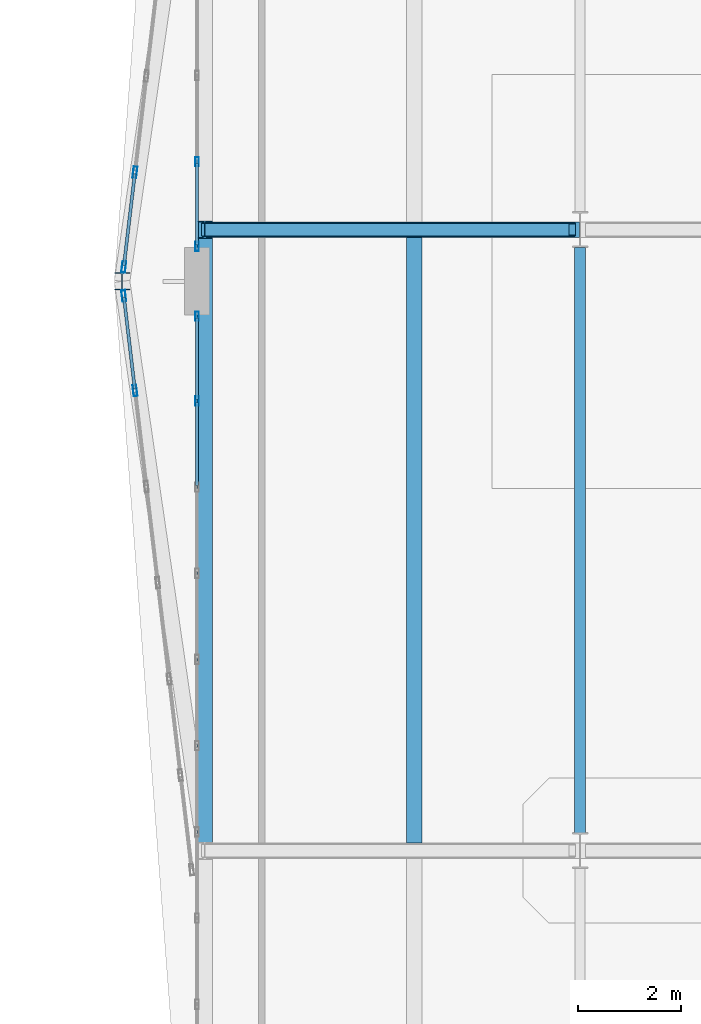
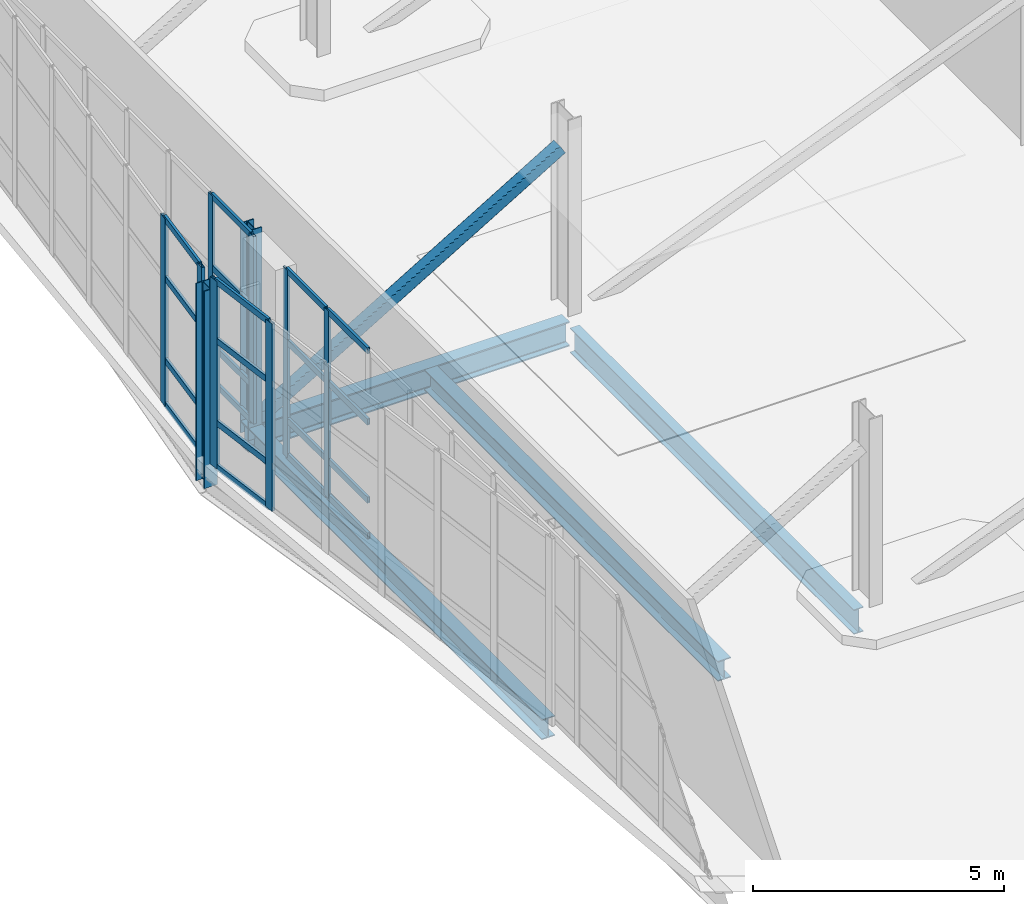
# One storey, part 19 of 100: 31 members, 4 beams, 4 elements without a shape of their own.
"""IFC4 building model written with IfcOpenShell, lengths in metres."""

from ifc_helpers import new_model, si_unit, direction, frame, origin, origin_2d, place, context, subcontext, project, spatial, hollow_rectangle, i_section, extrude, material, layer, layer_set, material_profile, profile_set, type_object, element, aggregate, save


model = new_model("IFC4")

# Units and contexts
model_context = context("Model", 3, precision=1e-05, world=origin(), true_north=direction((0.0, 1.0)))
body_context = subcontext(model_context, "Body", "Model", "MODEL_VIEW")
ifc_project = project(units=[si_unit("LENGTHUNIT", "METRE"), si_unit("AREAUNIT", "SQUARE_METRE"), si_unit("VOLUMEUNIT", "CUBIC_METRE"), si_unit("PLANEANGLEUNIT", "RADIAN"), si_unit("MASSUNIT", "GRAM", prefix="KILO")], contexts=[model_context])

# Site, building, storey
site_placement = place(None, origin())
site = spatial("IfcSite", under=ifc_project, at=site_placement, CompositionType="ELEMENT")
building_placement = place(site_placement, origin())
building = spatial("IfcBuilding", under=site, at=building_placement, Name="Tasgan Crest Museum", CompositionType="ELEMENT")
storey_placement = place(building_placement, frame((0.0, 0.0, 9.60009765625)))
storey = spatial("IfcBuildingStorey", under=building, at=storey_placement, Name="L02", CompositionType="ELEMENT", Elevation=9.60009765625)

# Beams
ifc_material_1 = material(Name="Steel S355K2", Category="steel")
ifc_material_profile_1 = material_profile(ifc_material_1, i_section(OverallWidth=0.300048828125, OverallDepth=0.60009765625, WebThickness=0.015380859375, FlangeThickness=0.030029296875, FilletRadius=0.027099609375, at=origin_2d()), Name="HEB 600")
ifc_profile_set_1 = profile_set([ifc_material_profile_1], Name="Steel S355K2")
beam_type_1 = type_object("IfcBeamType", Name="BM-CANT-G1", PredefinedType="BEAM", material=ifc_profile_set_1)
beam_1_placement = place(storey_placement, frame((3.39990234375, 62.0, -0.56005859375), z_axis=(1.0, 0.0, 0.0), x_axis=(0.0, 1.0, 0.0)))
element("IfcBeam", 1, at=beam_1_placement, inside=storey, type_object=beam_type_1, Name="Cantilever transfer girder BOT G", PredefinedType="BEAM", context=body_context, shape_type="SweptSolid", body=[
    extrude(i_section(OverallWidth=0.300048828125, OverallDepth=0.60009765625, WebThickness=0.015380859375, FlangeThickness=0.030029296875, FilletRadius=0.027099609375, at=origin_2d()), origin(), (0.0, 0.0, 1.0), 7.3935546875),
])
ifc_material_2 = material(Name="Steel S355J2", Category="steel")
ifc_material_profile_2 = material_profile(ifc_material_2, i_section(OverallWidth=0.300048828125, OverallDepth=0.489990234375, WebThickness=0.011962890625, FlangeThickness=0.02294921875, FilletRadius=0.027099609375, at=origin_2d()), Name="HEA 500")
ifc_profile_set_2 = profile_set([ifc_material_profile_2], Name="Steel S355J2")
beam_type_2 = type_object("IfcBeamType", Name="BM-G-HEA500", PredefinedType="BEAM", material=ifc_profile_set_2)
for number, where, z_axis, x_axis, name in (
    (2, (3.550048828125, 50.14990234375, -0.505126953125), (0.0, 1.0, 0.0), (-1.0, 0.0, 0.0), "Cantilever edge beam L02 TIP 50-62"),
    (3, (7.60009765625, 50.14990234375, -0.505126953125), (0.0, 1.0, 0.0), (-1.0, 0.0, 0.0), "Cantilever edge beam L02 MID 50-62"),
):
    element("IfcBeam", number, at=place(storey_placement, frame(where, z_axis=z_axis, x_axis=x_axis)), inside=storey, type_object=beam_type_2, Name=name, PredefinedType="BEAM", context=body_context, shape_type="SweptSolid", body=[
        extrude(i_section(OverallWidth=0.300048828125, OverallDepth=0.489990234375, WebThickness=0.011962890625, FlangeThickness=0.02294921875, FilletRadius=0.027099609375, at=origin_2d()), origin(), (0.0, 0.0, 1.0), 11.7001953125),
    ])
ifc_material_3 = material(Name="Steel S355J2", Category="steel")
ifc_material_profile_3 = material_profile(ifc_material_3, i_section(OverallWidth=0.219970703125, OverallDepth=0.60009765625, WebThickness=0.011962890625, FlangeThickness=0.01904296875, FilletRadius=0.02392578125, at=origin_2d()), Name="IPE 600")
ifc_profile_set_3 = profile_set([ifc_material_profile_3], Name="Steel S355J2")
beam_type_3 = type_object("IfcBeamType", Name="BM-G-IPE600", PredefinedType="BEAM", material=ifc_profile_set_3)
beam_2_placement = place(storey_placement, frame((10.800048828125, 50.344970703125, -0.56005859375), z_axis=(0.0, 1.0, 0.0), x_axis=(-1.0, 0.0, 0.0)))
element("IfcBeam", 4, at=beam_2_placement, inside=storey, type_object=beam_type_3, Name="Beam L02 2 50.0-62.0", PredefinedType="BEAM", context=body_context, shape_type="SweptSolid", body=[
    extrude(i_section(OverallWidth=0.219970703125, OverallDepth=0.60009765625, WebThickness=0.011962890625, FlangeThickness=0.01904296875, FilletRadius=0.02392578125, at=origin_2d()), origin(), (0.0, 0.0, 1.0), 11.31005859375),
])

# Curtain wall, members
ifc_material_4 = material(Name="Triple-Glazed Aluminium Curtain Wall", Category="aluminium")
ifc_layer = layer(ifc_material_4, 0.179931640625, Name="CW-CANT-TIP-48")
ifc_layer_set = layer_set([ifc_layer], Name="Triple-Glazed Aluminium Curtain Wall")
curtain_wall_type = type_object("IfcCurtainWallType", Name="CW-CANT-TIP-48", PredefinedType="NOTDEFINED", material=ifc_layer_set)
curtain_wall_1_placement = place(storey_placement, origin())
curtain_wall_1 = element("IfcCurtainWall", 5, at=curtain_wall_1_placement, inside=storey, type_object=curtain_wall_type, Name="Curtain wall L02 094", PredefinedType="NOTDEFINED")
ifc_material_5 = material(Name="Anodised Aluminium", Category="aluminium")
ifc_material_profile_4 = material_profile(ifc_material_5, hollow_rectangle(XDim=0.06494140625, YDim=0.179931640625, WallThickness=0.0048828125, at=origin_2d()), Name="ALU MULLION 180x65x5")
ifc_profile_set_4 = profile_set([ifc_material_profile_4], Name="Anodised Aluminium")
member_type_1 = type_object("IfcMemberType", Name="CW-MULLION-180", PredefinedType="MULLION", material=ifc_profile_set_4)
member_1_placement = place(storey_placement, frame((3.39990234375, 63.310791015625, 0.0), z_axis=(0.0, 0.0, 1.0), x_axis=(1.0, 0.0, 0.0)))
member_1 = element("IfcMember", 6, at=member_1_placement, type_object=member_type_1, Name="CW09 mullion 12", PredefinedType="MULLION", context=body_context, shape_type="SweptSolid", body=[
    extrude(hollow_rectangle(XDim=0.06494140625, YDim=0.179931640625, WallThickness=0.0048828125, at=origin_2d()), origin(), (0.0, 0.0, 1.0), 4.559814453125),
])
member_2_placement = place(storey_placement, frame((3.39990234375, 61.675048828125, 0.0), z_axis=(0.0, 0.0, 1.0), x_axis=(1.0, 0.0, 0.0)))
member_2 = element("IfcMember", 7, at=member_2_placement, type_object=member_type_1, Name="CW09 mullion 13", PredefinedType="MULLION", context=body_context, shape_type="SweptSolid", body=[
    extrude(hollow_rectangle(XDim=0.06494140625, YDim=0.179931640625, WallThickness=0.0048828125, at=origin_2d()), origin(), (0.0, 0.0, 1.0), 4.559814453125),
])

curtain_wall_2_placement = place(storey_placement, origin())
curtain_wall_2 = element("IfcCurtainWall", 8, at=curtain_wall_2_placement, inside=storey, type_object=curtain_wall_type, Name="Curtain wall L02 095", PredefinedType="NOTDEFINED")
member_3_placement = place(storey_placement, frame((3.39990234375, 60.324951171875, 0.0), z_axis=(0.0, 0.0, 1.0), x_axis=(1.0, 0.0, 0.0)))
member_3 = element("IfcMember", 9, at=member_3_placement, type_object=member_type_1, Name="CW09 mullion 1", PredefinedType="MULLION", context=body_context, shape_type="SweptSolid", body=[
    extrude(hollow_rectangle(XDim=0.06494140625, YDim=0.179931640625, WallThickness=0.0048828125, at=origin_2d()), origin(), (0.0, 0.0, 1.0), 4.559814453125),
])
member_4_placement = place(storey_placement, frame((3.39990234375, 58.689208984375, 0.0), z_axis=(0.0, 0.0, 1.0), x_axis=(1.0, 0.0, 0.0)))
member_4 = element("IfcMember", 10, at=member_4_placement, type_object=member_type_1, Name="CW09 mullion 2", PredefinedType="MULLION", context=body_context, shape_type="SweptSolid", body=[
    extrude(hollow_rectangle(XDim=0.06494140625, YDim=0.179931640625, WallThickness=0.0048828125, at=origin_2d()), origin(), (0.0, 0.0, 1.0), 4.559814453125),
])

curtain_wall_3_placement = place(storey_placement, origin())
curtain_wall_3 = element("IfcCurtainWall", 11, at=curtain_wall_3_placement, inside=storey, type_object=curtain_wall_type, Name="Cantilevered prow curtain wall L02 PROW-S", PredefinedType="NOTDEFINED")
ifc_material_6 = material(Name="Anodised Aluminium", Category="aluminium")
ifc_material_profile_5 = material_profile(ifc_material_6, hollow_rectangle(XDim=0.074951171875, YDim=0.219970703125, WallThickness=0.006103515625, at=origin_2d()), Name="ALU MULLION 220x75x6")
ifc_profile_set_5 = profile_set([ifc_material_profile_5], Name="Anodised Aluminium")
member_type_2 = type_object("IfcMemberType", Name="CW-MULLION-220", PredefinedType="MULLION", material=ifc_profile_set_5)
member_5_placement = place(storey_placement, frame((2.199951171875, 58.8916015625, 0.0), z_axis=(0.0, 0.0, 1.0), x_axis=(-0.993065228329, -0.117564672774, 0.0)))
member_5 = element("IfcMember", 12, at=member_5_placement, type_object=member_type_2, Name="CW09 mullion 6", PredefinedType="MULLION", context=body_context, shape_type="SweptSolid", body=[
    extrude(hollow_rectangle(XDim=0.074951171875, YDim=0.219970703125, WallThickness=0.006103515625, at=origin_2d()), origin(), (0.0, 0.0, 1.0), 4.559814453125),
])
member_6_placement = place(storey_placement, frame((1.983642578125, 60.72021484375, 0.0), z_axis=(0.0, 0.0, 1.0), x_axis=(-0.993065228329, -0.117564672774, 0.0)))
member_6 = element("IfcMember", 13, at=member_6_placement, type_object=member_type_2, Name="CW09 mullion 7", PredefinedType="MULLION", context=body_context, shape_type="SweptSolid", body=[
    extrude(hollow_rectangle(XDim=0.074951171875, YDim=0.219970703125, WallThickness=0.006103515625, at=origin_2d()), origin(), (0.0, 0.0, 1.0), 4.559814453125),
])

curtain_wall_4_placement = place(storey_placement, origin())
curtain_wall_4 = element("IfcCurtainWall", 14, at=curtain_wall_4_placement, inside=storey, type_object=curtain_wall_type, Name="Cantilevered prow curtain wall L02 PROW-N", PredefinedType="NOTDEFINED")
member_7_placement = place(storey_placement, frame((1.983642578125, 61.27978515625, 0.0), z_axis=(0.0, 0.0, 1.0), x_axis=(-0.993065228329, 0.117564672774, 0.0)))
member_7 = element("IfcMember", 15, at=member_7_placement, type_object=member_type_2, Name="CW09 mullion 1", PredefinedType="MULLION", context=body_context, shape_type="SweptSolid", body=[
    extrude(hollow_rectangle(XDim=0.074951171875, YDim=0.219970703125, WallThickness=0.006103515625, at=origin_2d()), origin(), (0.0, 0.0, 1.0), 4.559814453125),
])
member_8_placement = place(storey_placement, frame((2.199951171875, 63.1083984375, 0.0), z_axis=(0.0, 0.0, 1.0), x_axis=(-0.993065228329, 0.117564672774, 0.0)))
member_8 = element("IfcMember", 16, at=member_8_placement, type_object=member_type_2, Name="CW09 mullion 2", PredefinedType="MULLION", context=body_context, shape_type="SweptSolid", body=[
    extrude(hollow_rectangle(XDim=0.074951171875, YDim=0.219970703125, WallThickness=0.006103515625, at=origin_2d()), origin(), (0.0, 0.0, 1.0), 4.559814453125),
])

# Member
ifc_material_7 = material(Name="Anodised Aluminium", Category="aluminium")
ifc_material_profile_6 = material_profile(ifc_material_7, hollow_rectangle(XDim=0.06005859375, YDim=0.14990234375, WallThickness=0.0048828125, at=origin_2d()), Name="ALU TRANSOM 150x60x5")
ifc_profile_set_6 = profile_set([ifc_material_profile_6], Name="Anodised Aluminium")
member_type_3 = type_object("IfcMemberType", Name="CW-TRANSOM-150", PredefinedType="USERDEFINED", material=ifc_profile_set_6)
member_9_placement = place(storey_placement, frame((3.39990234375, 63.28076171875, 0.02978515625), z_axis=(0.0, -1.0, 0.0), x_axis=(1.0, 0.0, 0.0)))
member_9 = element("IfcMember", 17, at=member_9_placement, type_object=member_type_3, Name="CW09 transom 12.1", ObjectType="TRANSOM", PredefinedType="USERDEFINED", context=body_context, shape_type="SweptSolid", body=[
    extrude(hollow_rectangle(XDim=0.06005859375, YDim=0.14990234375, WallThickness=0.0048828125, at=origin_2d()), origin(), (0.0, 0.0, 1.0), 1.57568359375),
])

member_10_placement = place(storey_placement, frame((3.39990234375, 63.28076171875, 0.89990234375), z_axis=(0.0, -1.0, 0.0), x_axis=(1.0, 0.0, 0.0)))
member_10 = element("IfcMember", 18, at=member_10_placement, type_object=member_type_3, Name="CW09 transom 12.2", ObjectType="TRANSOM", PredefinedType="USERDEFINED", context=body_context, shape_type="SweptSolid", body=[
    extrude(hollow_rectangle(XDim=0.06005859375, YDim=0.14990234375, WallThickness=0.0048828125, at=origin_2d()), origin(), (0.0, 0.0, 1.0), 1.57568359375),
])

member_11_placement = place(storey_placement, frame((3.39990234375, 63.28076171875, 2.7998046875), z_axis=(0.0, -1.0, 0.0), x_axis=(1.0, 0.0, 0.0)))
member_11 = element("IfcMember", 19, at=member_11_placement, type_object=member_type_3, Name="CW09 transom 12.3", ObjectType="TRANSOM", PredefinedType="USERDEFINED", context=body_context, shape_type="SweptSolid", body=[
    extrude(hollow_rectangle(XDim=0.06005859375, YDim=0.14990234375, WallThickness=0.0048828125, at=origin_2d()), origin(), (0.0, 0.0, 1.0), 1.57568359375),
])

member_12_placement = place(storey_placement, frame((3.39990234375, 63.28076171875, 4.52978515625), z_axis=(0.0, -1.0, 0.0), x_axis=(1.0, 0.0, 0.0)))
member_12 = element("IfcMember", 20, at=member_12_placement, type_object=member_type_3, Name="CW09 transom 12.4", ObjectType="TRANSOM", PredefinedType="USERDEFINED", context=body_context, shape_type="SweptSolid", body=[
    extrude(hollow_rectangle(XDim=0.06005859375, YDim=0.14990234375, WallThickness=0.0048828125, at=origin_2d()), origin(), (0.0, 0.0, 1.0), 1.57568359375),
])

aggregate(curtain_wall_1, [member_1, member_2, member_9, member_10, member_11, member_12])

member_13_placement = place(storey_placement, frame((3.39990234375, 60.294921875, 0.02978515625), z_axis=(0.0, -1.0, 0.0), x_axis=(1.0, 0.0, 0.0)))
member_13 = element("IfcMember", 21, at=member_13_placement, type_object=member_type_3, Name="CW09 transom 1.1", ObjectType="TRANSOM", PredefinedType="USERDEFINED", context=body_context, shape_type="SweptSolid", body=[
    extrude(hollow_rectangle(XDim=0.06005859375, YDim=0.14990234375, WallThickness=0.0048828125, at=origin_2d()), origin(), (0.0, 0.0, 1.0), 1.57568359375),
])

member_14_placement = place(storey_placement, frame((3.39990234375, 60.294921875, 0.89990234375), z_axis=(0.0, -1.0, 0.0), x_axis=(1.0, 0.0, 0.0)))
member_14 = element("IfcMember", 22, at=member_14_placement, type_object=member_type_3, Name="CW09 transom 1.2", ObjectType="TRANSOM", PredefinedType="USERDEFINED", context=body_context, shape_type="SweptSolid", body=[
    extrude(hollow_rectangle(XDim=0.06005859375, YDim=0.14990234375, WallThickness=0.0048828125, at=origin_2d()), origin(), (0.0, 0.0, 1.0), 1.57568359375),
])

member_15_placement = place(storey_placement, frame((3.39990234375, 60.294921875, 2.7998046875), z_axis=(0.0, -1.0, 0.0), x_axis=(1.0, 0.0, 0.0)))
member_15 = element("IfcMember", 23, at=member_15_placement, type_object=member_type_3, Name="CW09 transom 1.3", ObjectType="TRANSOM", PredefinedType="USERDEFINED", context=body_context, shape_type="SweptSolid", body=[
    extrude(hollow_rectangle(XDim=0.06005859375, YDim=0.14990234375, WallThickness=0.0048828125, at=origin_2d()), origin(), (0.0, 0.0, 1.0), 1.57568359375),
])

member_16_placement = place(storey_placement, frame((3.39990234375, 60.294921875, 4.52978515625), z_axis=(0.0, -1.0, 0.0), x_axis=(1.0, 0.0, 0.0)))
member_16 = element("IfcMember", 24, at=member_16_placement, type_object=member_type_3, Name="CW09 transom 1.4", ObjectType="TRANSOM", PredefinedType="USERDEFINED", context=body_context, shape_type="SweptSolid", body=[
    extrude(hollow_rectangle(XDim=0.06005859375, YDim=0.14990234375, WallThickness=0.0048828125, at=origin_2d()), origin(), (0.0, 0.0, 1.0), 1.57568359375),
])

member_17_placement = place(storey_placement, frame((3.39990234375, 58.6591796875, 0.02978515625), z_axis=(0.0, -1.0, 0.0), x_axis=(1.0, 0.0, 0.0)))
member_17 = element("IfcMember", 25, at=member_17_placement, type_object=member_type_3, Name="CW09 transom 2.1", ObjectType="TRANSOM", PredefinedType="USERDEFINED", context=body_context, shape_type="SweptSolid", body=[
    extrude(hollow_rectangle(XDim=0.06005859375, YDim=0.14990234375, WallThickness=0.0048828125, at=origin_2d()), origin(), (0.0, 0.0, 1.0), 1.60595703125),
])

member_18_placement = place(storey_placement, frame((3.39990234375, 58.6591796875, 0.89990234375), z_axis=(0.0, -1.0, 0.0), x_axis=(1.0, 0.0, 0.0)))
member_18 = element("IfcMember", 26, at=member_18_placement, type_object=member_type_3, Name="CW09 transom 2.2", ObjectType="TRANSOM", PredefinedType="USERDEFINED", context=body_context, shape_type="SweptSolid", body=[
    extrude(hollow_rectangle(XDim=0.06005859375, YDim=0.14990234375, WallThickness=0.0048828125, at=origin_2d()), origin(), (0.0, 0.0, 1.0), 1.60595703125),
])

member_19_placement = place(storey_placement, frame((3.39990234375, 58.6591796875, 2.7998046875), z_axis=(0.0, -1.0, 0.0), x_axis=(1.0, 0.0, 0.0)))
member_19 = element("IfcMember", 27, at=member_19_placement, type_object=member_type_3, Name="CW09 transom 2.3", ObjectType="TRANSOM", PredefinedType="USERDEFINED", context=body_context, shape_type="SweptSolid", body=[
    extrude(hollow_rectangle(XDim=0.06005859375, YDim=0.14990234375, WallThickness=0.0048828125, at=origin_2d()), origin(), (0.0, 0.0, 1.0), 1.60595703125),
])

member_20_placement = place(storey_placement, frame((3.39990234375, 58.6591796875, 4.52978515625), z_axis=(0.0, -1.0, 0.0), x_axis=(1.0, 0.0, 0.0)))
member_20 = element("IfcMember", 28, at=member_20_placement, type_object=member_type_3, Name="CW09 transom 2.4", ObjectType="TRANSOM", PredefinedType="USERDEFINED", context=body_context, shape_type="SweptSolid", body=[
    extrude(hollow_rectangle(XDim=0.06005859375, YDim=0.14990234375, WallThickness=0.0048828125, at=origin_2d()), origin(), (0.0, 0.0, 1.0), 1.60595703125),
])

aggregate(curtain_wall_2, [member_3, member_4, member_13, member_14, member_15, member_16, member_17, member_18, member_19, member_20])

member_21_placement = place(storey_placement, frame((2.196533203125, 58.92138671875, 0.02978515625), z_axis=(-0.117588673446, 0.993062386699, 0.0), x_axis=(-0.993062386699, -0.117588673446, 0.0)))
member_21 = element("IfcMember", 29, at=member_21_placement, type_object=member_type_3, Name="CW09 transom 6.1", ObjectType="TRANSOM", PredefinedType="USERDEFINED", context=body_context, shape_type="SweptSolid", body=[
    extrude(hollow_rectangle(XDim=0.06005859375, YDim=0.14990234375, WallThickness=0.0048828125, at=origin_2d()), origin(), (0.0, 0.0, 1.0), 1.781494140625),
])

member_22_placement = place(storey_placement, frame((2.196533203125, 58.92138671875, 1.099853515625), z_axis=(-0.117588673446, 0.993062386699, 0.0), x_axis=(-0.993062386699, -0.117588673446, 0.0)))
member_22 = element("IfcMember", 30, at=member_22_placement, type_object=member_type_3, Name="CW09 transom 6.2", ObjectType="TRANSOM", PredefinedType="USERDEFINED", context=body_context, shape_type="SweptSolid", body=[
    extrude(hollow_rectangle(XDim=0.06005859375, YDim=0.14990234375, WallThickness=0.0048828125, at=origin_2d()), origin(), (0.0, 0.0, 1.0), 1.781494140625),
])

member_23_placement = place(storey_placement, frame((2.196533203125, 58.92138671875, 3.099853515625), z_axis=(-0.117588673446, 0.993062386699, 0.0), x_axis=(-0.993062386699, -0.117588673446, 0.0)))
member_23 = element("IfcMember", 31, at=member_23_placement, type_object=member_type_3, Name="CW09 transom 6.3", ObjectType="TRANSOM", PredefinedType="USERDEFINED", context=body_context, shape_type="SweptSolid", body=[
    extrude(hollow_rectangle(XDim=0.06005859375, YDim=0.14990234375, WallThickness=0.0048828125, at=origin_2d()), origin(), (0.0, 0.0, 1.0), 1.781494140625),
])

member_24_placement = place(storey_placement, frame((2.196533203125, 58.92138671875, 4.52978515625), z_axis=(-0.117588673446, 0.993062386699, 0.0), x_axis=(-0.993062386699, -0.117588673446, 0.0)))
member_24 = element("IfcMember", 32, at=member_24_placement, type_object=member_type_3, Name="CW09 transom 6.4", ObjectType="TRANSOM", PredefinedType="USERDEFINED", context=body_context, shape_type="SweptSolid", body=[
    extrude(hollow_rectangle(XDim=0.06005859375, YDim=0.14990234375, WallThickness=0.0048828125, at=origin_2d()), origin(), (0.0, 0.0, 1.0), 1.781494140625),
])

aggregate(curtain_wall_3, [member_5, member_6, member_21, member_22, member_23, member_24])

member_25_placement = place(storey_placement, frame((1.987060546875, 61.3095703125, 0.02978515625), z_axis=(0.117588673446, 0.993062386699, 0.0), x_axis=(-0.993062386699, 0.117588673446, 0.0)))
member_25 = element("IfcMember", 33, at=member_25_placement, type_object=member_type_3, Name="CW09 transom 1.1", ObjectType="TRANSOM", PredefinedType="USERDEFINED", context=body_context, shape_type="SweptSolid", body=[
    extrude(hollow_rectangle(XDim=0.06005859375, YDim=0.14990234375, WallThickness=0.0048828125, at=origin_2d()), origin(), (0.0, 0.0, 1.0), 1.781494140625),
])

member_26_placement = place(storey_placement, frame((1.987060546875, 61.3095703125, 1.099853515625), z_axis=(0.117588673446, 0.993062386699, 0.0), x_axis=(-0.993062386699, 0.117588673446, 0.0)))
member_26 = element("IfcMember", 34, at=member_26_placement, type_object=member_type_3, Name="CW09 transom 1.2", ObjectType="TRANSOM", PredefinedType="USERDEFINED", context=body_context, shape_type="SweptSolid", body=[
    extrude(hollow_rectangle(XDim=0.06005859375, YDim=0.14990234375, WallThickness=0.0048828125, at=origin_2d()), origin(), (0.0, 0.0, 1.0), 1.781494140625),
])

member_27_placement = place(storey_placement, frame((1.987060546875, 61.3095703125, 3.099853515625), z_axis=(0.117588673446, 0.993062386699, 0.0), x_axis=(-0.993062386699, 0.117588673446, 0.0)))
member_27 = element("IfcMember", 35, at=member_27_placement, type_object=member_type_3, Name="CW09 transom 1.3", ObjectType="TRANSOM", PredefinedType="USERDEFINED", context=body_context, shape_type="SweptSolid", body=[
    extrude(hollow_rectangle(XDim=0.06005859375, YDim=0.14990234375, WallThickness=0.0048828125, at=origin_2d()), origin(), (0.0, 0.0, 1.0), 1.781494140625),
])

member_28_placement = place(storey_placement, frame((1.987060546875, 61.3095703125, 4.52978515625), z_axis=(0.117588673446, 0.993062386699, 0.0), x_axis=(-0.993062386699, 0.117588673446, 0.0)))
member_28 = element("IfcMember", 36, at=member_28_placement, type_object=member_type_3, Name="CW09 transom 1.4", ObjectType="TRANSOM", PredefinedType="USERDEFINED", context=body_context, shape_type="SweptSolid", body=[
    extrude(hollow_rectangle(XDim=0.06005859375, YDim=0.14990234375, WallThickness=0.0048828125, at=origin_2d()), origin(), (0.0, 0.0, 1.0), 1.781494140625),
])

aggregate(curtain_wall_4, [member_7, member_8, member_25, member_26, member_27, member_28])

# Members
ifc_material_8 = material(Name="Steel S355K2", Category="steel")
ifc_material_profile_7 = material_profile(ifc_material_8, hollow_rectangle(XDim=0.260009765625, YDim=0.260009765625, WallThickness=0.01416015625, InnerFilletRadius=0.01416015625, OuterFilletRadius=0.0283203125, at=origin_2d()), Name="SHS 260x260x14.2")
ifc_profile_set_7 = profile_set([ifc_material_profile_7], Name="Steel S355K2")
member_type_4 = type_object("IfcMemberType", Name="TR-CANT-DIAG", PredefinedType="BRACE", material=ifc_profile_set_7)
member_29_placement = place(storey_placement, frame((3.550048828125, 62.0, -0.280029296875), z_axis=(0.858553918599, 0.0, 0.51272328683), x_axis=(0.0, 1.0, 0.0)))
element("IfcMember", 37, at=member_29_placement, inside=storey, type_object=member_type_4, Name="Transfer truss diagonal L02 G-1", PredefinedType="BRACE", context=body_context, shape_type="SweptSolid", body=[
    extrude(hollow_rectangle(XDim=0.260009765625, YDim=0.260009765625, WallThickness=0.01416015625, InnerFilletRadius=0.01416015625, OuterFilletRadius=0.0283203125, at=origin_2d()), origin(), (0.0, 0.0, 1.0), 8.26953125),
])
ifc_material_9 = material(Name="Steel S355K2", Category="steel")
ifc_material_profile_8 = material_profile(ifc_material_9, i_section(OverallWidth=0.300048828125, OverallDepth=0.340087890625, WebThickness=0.011962890625, FlangeThickness=0.021484375, FilletRadius=0.027099609375, at=origin_2d()), Name="HEB 340")
ifc_profile_set_8 = profile_set([ifc_material_profile_8], Name="Steel S355K2")
member_type_5 = type_object("IfcMemberType", Name="TR-CANT-POST", PredefinedType="POST", material=ifc_profile_set_8)
member_30_placement = place(storey_placement, frame((3.550048828125, 62.0, -0.56005859375), z_axis=(0.0, 0.0, 1.0), x_axis=(1.0, 0.0, 0.0)))
element("IfcMember", 38, at=member_30_placement, inside=storey, type_object=member_type_5, Name="Cantilever truss tip post L02 G", PredefinedType="POST", context=body_context, shape_type="SweptSolid", body=[
    extrude(i_section(OverallWidth=0.300048828125, OverallDepth=0.340087890625, WebThickness=0.011962890625, FlangeThickness=0.021484375, FilletRadius=0.027099609375, at=origin_2d()), origin(), (0.0, 0.0, 1.0), 5.099853515625),
])
member_31_placement = place(storey_placement, frame((1.949951171875, 61.0, -0.56005859375), z_axis=(0.0, 0.0, 1.0), x_axis=(1.0, 0.0, 0.0)))
element("IfcMember", 39, at=member_31_placement, inside=storey, type_object=member_type_5, Name="Cantilever prow tip post L02", PredefinedType="POST", context=body_context, shape_type="SweptSolid", body=[
    extrude(i_section(OverallWidth=0.300048828125, OverallDepth=0.340087890625, WebThickness=0.011962890625, FlangeThickness=0.021484375, FilletRadius=0.027099609375, at=origin_2d()), origin(), (0.0, 0.0, 1.0), 4.800048828125),
])

save(model, "model.ifc")
